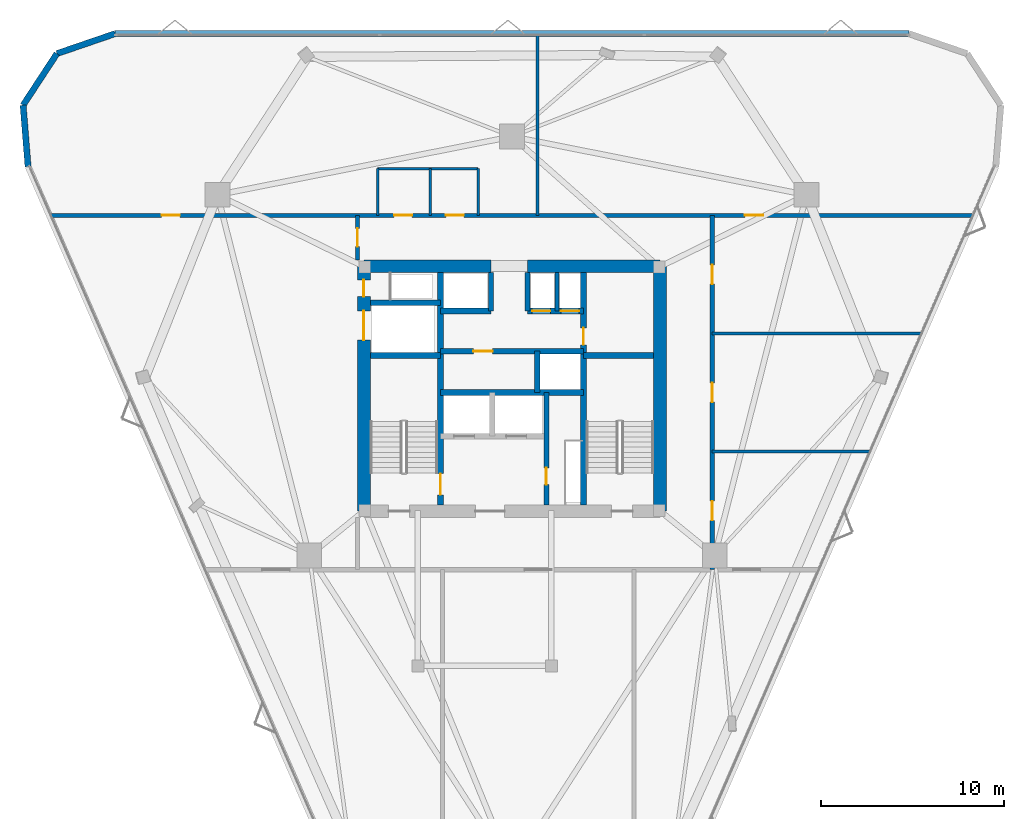
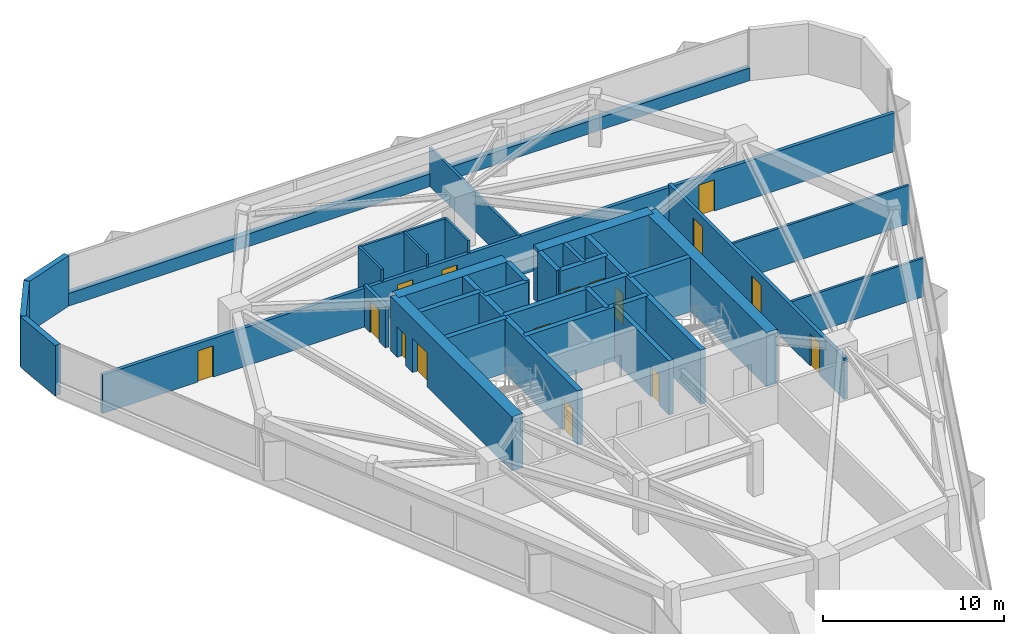
# One storey, part 10 of 12: 32 walls, 16 doors, 16 openings.
"""IFC4 building model written with IfcOpenShell, lengths in metres."""

from ifc_helpers import new_model, si_unit, direction, frame, frame_2d, origin, place, context, subcontext, project, spatial, rectangle, extrude, material, layer, layer_set, type_object, element, fill, save


model = new_model("IFC4")

# Units and contexts
model_context = context("Model", 3, precision=1e-05, world=origin(), true_north=direction((0.0, 1.0)))
body_context = subcontext(model_context, "Body", "Model", "MODEL_VIEW")
ifc_project = project(units=[si_unit("LENGTHUNIT", "METRE"), si_unit("AREAUNIT", "SQUARE_METRE"), si_unit("VOLUMEUNIT", "CUBIC_METRE"), si_unit("PLANEANGLEUNIT", "RADIAN"), si_unit("MASSUNIT", "GRAM", prefix="KILO")], contexts=[model_context])

# Site, building, storey
site_placement = place(None, origin())
site = spatial("IfcSite", under=ifc_project, at=site_placement, CompositionType="ELEMENT")
building_placement = place(site_placement, origin())
building = spatial("IfcBuilding", under=site, at=building_placement, Name="Talyreon Biosciences Tower", CompositionType="ELEMENT")
storey_placement = place(building_placement, frame((0.0, 0.0, 183.050048828125)))
storey = spatial("IfcBuildingStorey", under=building, at=storey_placement, Name="L48", CompositionType="ELEMENT", Elevation=183.050048828125)

# Walls
ifc_material_1 = material(Name="Concrete C50/60", Category="concrete")
ifc_layer_1 = layer(ifc_material_1, 0.219970703125)
ifc_layer_set_1 = layer_set([ifc_layer_1], Name="Concrete C50/60")
wall_type_1 = type_object("IfcWallType", Name="CoreShearWall_220", PredefinedType="SHEAR", material=ifc_layer_set_1)
wall_1_placement = place(storey_placement, frame((68.4599609375, 72.25, 0.0), z_axis=(0.0, 0.0, 1.0), x_axis=(0.0, 1.0, 0.0)))
element("IfcWall", 1, at=wall_1_placement, inside=storey, type_object=wall_type_1, Name="L48 Core Shaft Wall SWPHD", PredefinedType="SHEAR", context=body_context, shape_type="SweptSolid", body=[
    extrude(rectangle(XDim=2.10009765625, YDim=0.219970703125, at=frame_2d((1.050048828125, 0.0))), origin(), (0.0, 0.0, 1.0), 3.64990234375),
])
ifc_layer_2 = layer(ifc_material_1, 0.280029296875)
ifc_layer_set_2 = layer_set([ifc_layer_2], Name="Concrete C50/60")
wall_type_2 = type_object("IfcWallType", Name="CoreShearWall_280", PredefinedType="SHEAR", material=ifc_layer_set_2)
for number, where, z_axis, x_axis, name in (
    (2, (64.85009765625, 72.25, 0.0), (0.0, 0.0, 1.0), (0.0, 1.0, 0.0), "L48 Core Shaft Wall SWTHW"),
    (3, (66.85009765625, 72.25, 0.0), (0.0, 0.0, 1.0), (0.0, 1.0, 0.0), "L48 Core Shaft Wall SWTHE"),
):
    element("IfcWall", number, at=place(storey_placement, frame(where, z_axis=z_axis, x_axis=x_axis)), inside=storey, type_object=wall_type_2, Name=name, PredefinedType="SHEAR", context=body_context, shape_type="SweptSolid", body=[
        extrude(rectangle(XDim=2.10009765625, YDim=0.280029296875, at=frame_2d((1.050048828125, 0.0))), origin(), (0.0, 0.0, 1.0), 3.64990234375),
    ])

# Wall, opening, door
wall_2_placement = place(storey_placement, frame((67.8798828125, 61.64990234375, 0.0), z_axis=(0.0, 0.0, 1.0), x_axis=(0.0, 1.0, 0.0)))
wall_2 = element("IfcWall", 4, at=wall_2_placement, inside=storey, type_object=wall_type_2, Name="L48 Core Shaft Wall SWFFE", PredefinedType="SHEAR", context=body_context, shape_type="SweptSolid", body=[
    extrude(rectangle(XDim=6.150146484375, YDim=0.280029296875, at=frame_2d((3.0751953125, 0.0))), origin(), (0.0, 0.0, 1.0), 3.64990234375),
])
opening_1_placement = place(wall_2_placement, frame((1.10009765625, 0.0, 0.0)))
opening_1 = element("IfcOpeningElement", 5, at=opening_1_placement, cuts=wall_2, Name="Opening DR-L48-RSE", PredefinedType="OPENING", context=body_context, shape_type="SweptSolid", body=[
    extrude(rectangle(XDim=0.919921875, YDim=2.050048828125, at=frame_2d((0.4599609375, 1.02490234375))), frame((0.0, 0.14990234375, 0.0), z_axis=(0.0, -1.0, 0.0), x_axis=(1.0, 0.0, 0.0)), (0.0, 0.0, 1.0), 0.300048828125),
])
ifc_material_2 = material(Name="Painted steel fire-rated riser door", Category="steel")
door_type_1 = type_object("IfcDoorType", Name="RiserPlantAccessDoor_920x2050", OperationType="NOTDEFINED", PredefinedType="DOOR", material=ifc_material_2)
door_1_placement = place(opening_1_placement, origin())
door_1 = element("IfcDoor", 6, at=door_1_placement, inside=storey, type_object=door_type_1, Name="L48 Core Door DR-L48-RSE", OperationType="SINGLE_SWING_RIGHT", OverallHeight=2.050048828125, OverallWidth=0.919921875, PredefinedType="DOOR", context=body_context, shape_type="SweptSolid", body=[
    extrude(rectangle(XDim=0.919921875, YDim=2.050048828125, at=frame_2d((0.4599609375, 1.02490234375))), frame((0.0, 0.02490234375, 0.0), z_axis=(0.0, -1.0, 0.0), x_axis=(1.0, 0.0, 0.0)), (0.0, 0.0, 1.0), 0.050048828125),
])
fill(opening_1, door_1)

# Wall
wall_3_placement = place(storey_placement, frame((67.3798828125, 67.800048828125, 0.0), z_axis=(0.0, 0.0, 1.0), x_axis=(0.0, 1.0, 0.0)))
element("IfcWall", 7, at=wall_3_placement, inside=storey, type_object=wall_type_2, Name="L48 Core Shaft Wall SWPMD", PredefinedType="SHEAR", context=body_context, shape_type="SweptSolid", body=[
    extrude(rectangle(XDim=2.25, YDim=0.280029296875, at=frame_2d((1.125, 0.0))), origin(), (0.0, 0.0, 1.0), 3.64990234375),
])

# Wall, opening, door
ifc_layer_3 = layer(ifc_material_1, 0.320068359375)
ifc_layer_set_3 = layer_set([ifc_layer_3], Name="Concrete C50/60")
wall_type_3 = type_object("IfcWallType", Name="CoreShearWall_320", PredefinedType="SHEAR", material=ifc_layer_set_3)
wall_4_placement = place(storey_placement, frame((62.090087890625, 61.64990234375, 0.0), z_axis=(0.0, 0.0, 1.0), x_axis=(0.0, 1.0, 0.0)))
wall_4 = element("IfcWall", 8, at=wall_4_placement, inside=storey, type_object=wall_type_3, Name="L48 Core Shaft Wall SW1E", PredefinedType="SHEAR", context=body_context, shape_type="SweptSolid", body=[
    extrude(rectangle(XDim=12.7001953125, YDim=0.320068359375, at=frame_2d((6.35009765625, 0.0))), origin(), (0.0, 0.0, 1.0), 3.64990234375),
])
opening_2_placement = place(wall_4_placement, frame((0.550048828125, 0.0, 0.0)))
opening_2 = element("IfcOpeningElement", 9, at=opening_2_placement, cuts=wall_4, Name="Opening DR-L48-FF-ST1", PredefinedType="OPENING", context=body_context, shape_type="SweptSolid", body=[
    extrude(rectangle(XDim=1.14990234375, YDim=2.14990234375, at=frame_2d((0.574951171875, 1.074951171875))), frame((0.0, 0.169921875, 0.0), z_axis=(0.0, -1.0, 0.0), x_axis=(1.0, 0.0, 0.0)), (0.0, 0.0, 1.0), 0.340087890625),
])
ifc_material_3 = material(Name="Painted steel fire door", Category="steel")
door_type_2 = type_object("IfcDoorType", Name="StairShaftFireDoor_1150x2150", OperationType="NOTDEFINED", PredefinedType="DOOR", material=ifc_material_3)
door_2_placement = place(opening_2_placement, origin())
door_2 = element("IfcDoor", 10, at=door_2_placement, inside=storey, type_object=door_type_2, Name="L48 Core Door DR-L48-FF-ST1", OperationType="SINGLE_SWING_LEFT", OverallHeight=2.14990234375, OverallWidth=1.14990234375, PredefinedType="DOOR", context=body_context, shape_type="SweptSolid", body=[
    extrude(rectangle(XDim=1.14990234375, YDim=2.14990234375, at=frame_2d((0.574951171875, 1.074951171875))), frame((0.0, 0.02490234375, 0.0), z_axis=(0.0, -1.0, 0.0), x_axis=(1.0, 0.0, 0.0)), (0.0, 0.0, 1.0), 0.050048828125),
])
fill(opening_2, door_2)

wall_5_placement = place(storey_placement, frame((69.909912109375, 61.64990234375, 0.0), z_axis=(0.0, 0.0, 1.0), x_axis=(0.0, 1.0, 0.0)))
wall_5 = element("IfcWall", 11, at=wall_5_placement, inside=storey, type_object=wall_type_3, Name="L48 Core Shaft Wall SW2W", PredefinedType="SHEAR", context=body_context, shape_type="SweptSolid", body=[
    extrude(rectangle(XDim=12.7001953125, YDim=0.320068359375, at=frame_2d((6.35009765625, 0.0))), origin(), (0.0, 0.0, 1.0), 3.64990234375),
])
opening_3_placement = place(wall_5_placement, frame((8.75, 0.0, 0.0)))
opening_3 = element("IfcOpeningElement", 12, at=opening_3_placement, cuts=wall_5, Name="Opening DR-L48-CSRV", PredefinedType="OPENING", context=body_context, shape_type="SweptSolid", body=[
    extrude(rectangle(XDim=0.919921875, YDim=2.050048828125, at=frame_2d((0.4599609375, 1.02490234375))), frame((0.0, 0.169921875, 0.0), z_axis=(0.0, -1.0, 0.0), x_axis=(1.0, 0.0, 0.0)), (0.0, 0.0, 1.0), 0.340087890625),
])
door_3_placement = place(opening_3_placement, origin())
door_3 = element("IfcDoor", 13, at=door_3_placement, inside=storey, type_object=door_type_1, Name="L48 Core Door DR-L48-CSRV", OperationType="SINGLE_SWING_RIGHT", OverallHeight=2.050048828125, OverallWidth=0.919921875, PredefinedType="DOOR", context=body_context, shape_type="SweptSolid", body=[
    extrude(rectangle(XDim=0.919921875, YDim=2.050048828125, at=frame_2d((0.4599609375, 1.02490234375))), frame((0.0, 0.02490234375, 0.0), z_axis=(0.0, -1.0, 0.0), x_axis=(1.0, 0.0, 0.0)), (0.0, 0.0, 1.0), 0.050048828125),
])
fill(opening_3, door_3)

# Walls
for number, where, z_axis, x_axis, name in (
    (14, (58.25, 69.81005859375, 0.0), (0.0, 0.0, 1.0), (1.0, 0.0, 0.0), "L48 Core Shaft Wall SW1N"),
    (15, (69.909912109375, 69.81005859375, 0.0), (0.0, 0.0, 1.0), (1.0, 0.0, 0.0), "L48 Core Shaft Wall SW2N"),
    (16, (58.25, 72.699951171875, 0.0), (0.0, 0.0, 1.0), (1.0, 0.0, 0.0), "L48 Core Shaft Wall SWGLN"),
):
    element("IfcWall", number, at=place(storey_placement, frame(where, z_axis=z_axis, x_axis=x_axis)), inside=storey, type_object=wall_type_3, Name=name, PredefinedType="SHEAR", context=body_context, shape_type="SweptSolid", body=[
        extrude(rectangle(XDim=3.840087890625, YDim=0.320068359375, at=frame_2d((1.919921875, 0.0))), origin(), (0.0, 0.0, 1.0), 3.64990234375),
    ])
wall_6_placement = place(storey_placement, frame((62.090087890625, 67.800048828125, 0.0), z_axis=(0.0, 0.0, 1.0), x_axis=(1.0, 0.0, 0.0)))
element("IfcWall", 17, at=wall_6_placement, inside=storey, type_object=wall_type_3, Name="L48 Core Shaft Wall SWSHM", PredefinedType="SHEAR", context=body_context, shape_type="SweptSolid", body=[
    extrude(rectangle(XDim=7.81982421875, YDim=0.320068359375, at=frame_2d((3.909912109375, 0.0))), origin(), (0.0, 0.0, 1.0), 3.64990234375),
])

# Wall, opening, door
wall_7_placement = place(storey_placement, frame((62.090087890625, 70.050048828125, 0.0), z_axis=(0.0, 0.0, 1.0), x_axis=(1.0, 0.0, 0.0)))
wall_7 = element("IfcWall", 18, at=wall_7_placement, inside=storey, type_object=wall_type_3, Name="L48 Core Shaft Wall SWSPN", PredefinedType="SHEAR", context=body_context, shape_type="SweptSolid", body=[
    extrude(rectangle(XDim=7.81982421875, YDim=0.320068359375, at=frame_2d((3.909912109375, 0.0))), origin(), (0.0, 0.0, 1.0), 3.64990234375),
])
opening_4_placement = place(wall_7_placement, frame((1.800048828125, 0.0, 0.0)))
opening_4 = element("IfcOpeningElement", 19, at=opening_4_placement, cuts=wall_7, Name="Opening DR-L48-PLFREE-A", PredefinedType="OPENING", context=body_context, shape_type="SweptSolid", body=[
    extrude(rectangle(XDim=1.050048828125, YDim=2.14990234375, at=frame_2d((0.52490234375, 1.074951171875))), frame((0.0, 0.169921875, 0.0), z_axis=(0.0, -1.0, 0.0), x_axis=(1.0, 0.0, 0.0)), (0.0, 0.0, 1.0), 0.340087890625),
])
ifc_material_4 = material(Name="Acoustic timber-core laboratory door", Category="wood")
door_type_3 = type_object("IfcDoorType", Name="DryLabSingleDoor_1050x2150", OperationType="NOTDEFINED", PredefinedType="DOOR", material=ifc_material_4)
door_4_placement = place(opening_4_placement, origin())
door_4 = element("IfcDoor", 20, at=door_4_placement, inside=storey, type_object=door_type_3, Name="L48 Core Door DR-L48-PLFREE-A", OperationType="SINGLE_SWING_LEFT", OverallHeight=2.14990234375, OverallWidth=1.050048828125, PredefinedType="DOOR", context=body_context, shape_type="SweptSolid", body=[
    extrude(rectangle(XDim=1.050048828125, YDim=2.14990234375, at=frame_2d((0.52490234375, 1.074951171875))), frame((0.0, 0.02490234375, 0.0), z_axis=(0.0, -1.0, 0.0), x_axis=(1.0, 0.0, 0.0)), (0.0, 0.0, 1.0), 0.050048828125),
])
fill(opening_4, door_4)

# Wall
wall_8_placement = place(storey_placement, frame((62.090087890625, 72.25, 0.0), z_axis=(0.0, 0.0, 1.0), x_axis=(1.0, 0.0, 0.0)))
element("IfcWall", 21, at=wall_8_placement, inside=storey, type_object=wall_type_3, Name="L48 Core Shaft Wall SWNPW", PredefinedType="SHEAR", context=body_context, shape_type="SweptSolid", body=[
    extrude(rectangle(XDim=2.760009765625, YDim=0.320068359375, at=frame_2d((1.3798828125, 0.0))), origin(), (0.0, 0.0, 1.0), 3.64990234375),
])

# Wall, openings, doors
wall_9_placement = place(storey_placement, frame((66.85009765625, 72.25, 0.0), z_axis=(0.0, 0.0, 1.0), x_axis=(1.0, 0.0, 0.0)))
wall_9 = element("IfcWall", 22, at=wall_9_placement, inside=storey, type_object=wall_type_3, Name="L48 Core Shaft Wall SWNPE", PredefinedType="SHEAR", context=body_context, shape_type="SweptSolid", body=[
    extrude(rectangle(XDim=3.059814453125, YDim=0.320068359375, at=frame_2d((1.52978515625, 0.0))), origin(), (0.0, 0.0, 1.0), 3.64990234375),
])
opening_5_placement = place(wall_9_placement, frame((0.25, 0.0, 0.0)))
opening_5 = element("IfcOpeningElement", 23, at=opening_5_placement, cuts=wall_9, Name="Opening LD-L48-PH1", PredefinedType="OPENING", context=body_context, shape_type="SweptSolid", body=[
    extrude(rectangle(XDim=1.0, YDim=2.199951171875, at=frame_2d((0.5, 1.10009765625))), frame((0.0, 0.169921875, 0.0), z_axis=(0.0, -1.0, 0.0), x_axis=(1.0, 0.0, 0.0)), (0.0, 0.0, 1.0), 0.340087890625),
])
opening_6_placement = place(wall_9_placement, frame((1.820068359375, 0.0, 0.0)))
opening_6 = element("IfcOpeningElement", 24, at=opening_6_placement, cuts=wall_9, Name="Opening LD-L48-PH2", PredefinedType="OPENING", context=body_context, shape_type="SweptSolid", body=[
    extrude(rectangle(XDim=1.0, YDim=2.199951171875, at=frame_2d((0.5, 1.10009765625))), frame((0.0, 0.169921875, 0.0), z_axis=(0.0, -1.0, 0.0), x_axis=(1.0, 0.0, 0.0)), (0.0, 0.0, 1.0), 0.340087890625),
])
ifc_material_5 = material(Name="Brushed stainless-steel lift landing door", Category="steel")
door_type_4 = type_object("IfcDoorType", Name="LiftSlidingLandingDoor_1100x2200", OperationType="SLIDING_TO_LEFT", PredefinedType="DOOR", material=ifc_material_5)
door_5_placement = place(opening_5_placement, origin())
door_5 = element("IfcDoor", 25, at=door_5_placement, inside=storey, type_object=door_type_4, Name="L48 Core Door LD-L48-PH1", OperationType="SLIDING_TO_LEFT", OverallHeight=2.199951171875, OverallWidth=1.0, PredefinedType="DOOR", context=body_context, shape_type="SweptSolid", body=[
    extrude(rectangle(XDim=1.0, YDim=2.199951171875, at=frame_2d((0.5, 1.10009765625))), frame((0.0, 0.02490234375, 0.0), z_axis=(0.0, -1.0, 0.0), x_axis=(1.0, 0.0, 0.0)), (0.0, 0.0, 1.0), 0.050048828125),
])
fill(opening_5, door_5)
door_6_placement = place(opening_6_placement, origin())
door_6 = element("IfcDoor", 26, at=door_6_placement, inside=storey, type_object=door_type_4, Name="L48 Core Door LD-L48-PH2", OperationType="SLIDING_TO_LEFT", OverallHeight=2.199951171875, OverallWidth=1.0, PredefinedType="DOOR", context=body_context, shape_type="SweptSolid", body=[
    extrude(rectangle(XDim=1.0, YDim=2.199951171875, at=frame_2d((0.5, 1.10009765625))), frame((0.0, 0.02490234375, 0.0), z_axis=(0.0, -1.0, 0.0), x_axis=(1.0, 0.0, 0.0)), (0.0, 0.0, 1.0), 0.050048828125),
])
fill(opening_6, door_6)

# Walls
ifc_layer_4 = layer(ifc_material_1, 0.699951171875)
ifc_layer_set_4 = layer_set([ifc_layer_4], Name="Concrete C50/60")
wall_type_4 = type_object("IfcWallType", Name="CoreShearWall_700", PredefinedType="SHEAR", material=ifc_layer_set_4)
wall_10_placement = place(storey_placement, frame((74.10009765625, 61.300048828125, 0.0), z_axis=(0.0, 0.0, 1.0), x_axis=(0.0, 1.0, 0.0)))
element("IfcWall", 27, at=wall_10_placement, inside=storey, type_object=wall_type_4, Name="L48 Core Shear Wall E", PredefinedType="SHEAR", context=body_context, shape_type="SweptSolid", body=[
    extrude(rectangle(XDim=13.39990234375, YDim=0.699951171875, at=frame_2d((6.699951171875, 0.0))), origin(), (0.0, 0.0, 1.0), 3.64990234375),
])
wall_11_placement = place(storey_placement, frame((74.10009765625, 74.699951171875, 0.0), z_axis=(0.0, 0.0, 1.0), x_axis=(-1.0, 0.0, 0.0)))
element("IfcWall", 28, at=wall_11_placement, inside=storey, type_object=wall_type_4, Name="L48 Core Shear Wall NE", PredefinedType="SHEAR", context=body_context, shape_type="SweptSolid", body=[
    extrude(rectangle(XDim=7.25, YDim=0.699951171875, at=frame_2d((3.625, 0.0))), origin(), (0.0, 0.0, 1.0), 3.64990234375),
])
wall_12_placement = place(storey_placement, frame((64.85009765625, 74.699951171875, 0.0), z_axis=(0.0, 0.0, 1.0), x_axis=(-1.0, 0.0, 0.0)))
element("IfcWall", 29, at=wall_12_placement, inside=storey, type_object=wall_type_4, Name="L48 Core Shear Wall NW", PredefinedType="SHEAR", context=body_context, shape_type="SweptSolid", body=[
    extrude(rectangle(XDim=6.9501953125, YDim=0.699951171875, at=frame_2d((3.47509765625, 0.0))), origin(), (0.0, 0.0, 1.0), 3.64990234375),
])

# Wall, openings, doors
wall_13_placement = place(storey_placement, frame((57.89990234375, 74.699951171875, 0.0), z_axis=(0.0, 0.0, 1.0), x_axis=(0.0, -1.0, 0.0)))
wall_13 = element("IfcWall", 30, at=wall_13_placement, inside=storey, type_object=wall_type_4, Name="L48 Core Shear Wall W", PredefinedType="SHEAR", context=body_context, shape_type="SweptSolid", body=[
    extrude(rectangle(XDim=13.39990234375, YDim=0.699951171875, at=frame_2d((6.699951171875, 0.0))), origin(), (0.0, 0.0, 1.0), 3.64990234375),
])
opening_7_placement = place(wall_13_placement, frame((0.75, 0.0, 0.0)))
opening_7 = element("IfcOpeningElement", 31, at=opening_7_placement, cuts=wall_13, Name="Opening DR-L48-RSW", PredefinedType="OPENING", context=body_context, shape_type="SweptSolid", body=[
    extrude(rectangle(XDim=0.919921875, YDim=2.050048828125, at=frame_2d((0.4599609375, 1.02490234375))), frame((0.0, 0.35986328125, 0.0), z_axis=(0.0, -1.0, 0.0), x_axis=(1.0, 0.0, 0.0)), (0.0, 0.0, 1.0), 0.719970703125),
])
opening_8_placement = place(wall_13_placement, frame((2.449951171875, 0.0, 0.0)))
opening_8 = element("IfcOpeningElement", 32, at=opening_8_placement, cuts=wall_13, Name="Opening LD-L48-GL1", PredefinedType="OPENING", context=body_context, shape_type="SweptSolid", body=[
    extrude(rectangle(XDim=1.60009765625, YDim=2.300048828125, at=frame_2d((0.800048828125, 1.14990234375))), frame((0.0, 0.35986328125, 0.0), z_axis=(0.0, -1.0, 0.0), x_axis=(1.0, 0.0, 0.0)), (0.0, 0.0, 1.0), 0.719970703125),
])
ifc_material_6 = material(Name="Heavy-duty stainless-steel goods lift door", Category="steel")
door_type_5 = type_object("IfcDoorType", Name="GoodsLiftSlidingDoor_1600x2300", OperationType="DOUBLE_DOOR_SLIDING", PredefinedType="DOOR", material=ifc_material_6)
door_7_placement = place(opening_8_placement, origin())
door_7 = element("IfcDoor", 33, at=door_7_placement, inside=storey, type_object=door_type_5, Name="L48 Core Door LD-L48-GL1", OperationType="DOUBLE_DOOR_SLIDING", OverallHeight=2.300048828125, OverallWidth=1.60009765625, PredefinedType="DOOR", context=body_context, shape_type="SweptSolid", body=[
    extrude(rectangle(XDim=1.60009765625, YDim=2.300048828125, at=frame_2d((0.800048828125, 1.14990234375))), frame((0.0, 0.02490234375, 0.0), z_axis=(0.0, -1.0, 0.0), x_axis=(1.0, 0.0, 0.0)), (0.0, 0.0, 1.0), 0.050048828125),
])
fill(opening_8, door_7)
door_8_placement = place(opening_7_placement, origin())
door_8 = element("IfcDoor", 34, at=door_8_placement, inside=storey, type_object=door_type_1, Name="L48 Core Door DR-L48-RSW", OperationType="SINGLE_SWING_LEFT", OverallHeight=2.050048828125, OverallWidth=0.919921875, PredefinedType="DOOR", context=body_context, shape_type="SweptSolid", body=[
    extrude(rectangle(XDim=0.919921875, YDim=2.050048828125, at=frame_2d((0.4599609375, 1.02490234375))), frame((0.0, 0.02490234375, 0.0), z_axis=(0.0, -1.0, 0.0), x_axis=(1.0, 0.0, 0.0)), (0.0, 0.0, 1.0), 0.050048828125),
])
fill(opening_7, door_8)

ifc_material_7 = material(Name="Gypsum fireboard acoustic stud", Category="gypsum")
ifc_layer_5 = layer(ifc_material_7, 0.219970703125)
ifc_layer_set_5 = layer_set([ifc_layer_5], Name="Gypsum fireboard acoustic stud")
wall_type_5 = type_object("IfcWallType", Name="CorridorRatedPartition_220", PredefinedType="PARTITIONING", material=ifc_layer_set_5)
wall_14_placement = place(storey_placement, frame((40.787841796875, 77.47998046875, 0.0), z_axis=(0.0, 0.0, 1.0), x_axis=(1.0, 0.0, 0.0)))
wall_14 = element("IfcWall", 35, at=wall_14_placement, inside=storey, type_object=wall_type_5, Name="L48 Interior Wall IW-L48-COR-N", PredefinedType="PARTITIONING", context=body_context, shape_type="SweptSolid", body=[
    extrude(rectangle(XDim=50.42431640625, YDim=0.219970703125, at=frame_2d((25.212158203125, 0.0))), origin(), (0.0, 0.0, 1.0), 2.599853515625),
])
opening_9_placement = place(wall_14_placement, frame((18.77197265625, 0.0, 0.0)))
opening_9 = element("IfcOpeningElement", 36, at=opening_9_placement, cuts=wall_14, Name="Opening DR-L48-WC", PredefinedType="OPENING", context=body_context, shape_type="SweptSolid", body=[
    extrude(rectangle(XDim=0.97998046875, YDim=2.10009765625, at=frame_2d((0.489990234375, 1.050048828125))), frame((0.0, 0.119873046875, 0.0), z_axis=(0.0, -1.0, 0.0), x_axis=(1.0, 0.0, 0.0)), (0.0, 0.0, 1.0), 0.239990234375),
])
opening_10_placement = place(wall_14_placement, frame((21.596923828125, 0.0, 0.0)))
opening_10 = element("IfcOpeningElement", 37, at=opening_10_placement, cuts=wall_14, Name="Opening DR-L48-AWC", PredefinedType="OPENING", context=body_context, shape_type="SweptSolid", body=[
    extrude(rectangle(XDim=0.97998046875, YDim=2.10009765625, at=frame_2d((0.489990234375, 1.050048828125))), frame((0.0, 0.119873046875, 0.0), z_axis=(0.0, -1.0, 0.0), x_axis=(1.0, 0.0, 0.0)), (0.0, 0.0, 1.0), 0.239990234375),
])
opening_11_placement = place(wall_14_placement, frame((6.052001953125, 0.0, 0.0)))
opening_11 = element("IfcOpeningElement", 38, at=opening_11_placement, cuts=wall_14, Name="Opening DR-L48-N1A", PredefinedType="OPENING", context=body_context, shape_type="SweptSolid", body=[
    extrude(rectangle(XDim=1.0, YDim=2.10009765625, at=frame_2d((0.5, 1.050048828125))), frame((0.0, 0.119873046875, 0.0), z_axis=(0.0, -1.0, 0.0), x_axis=(1.0, 0.0, 0.0)), (0.0, 0.0, 1.0), 0.239990234375),
])
opening_12_placement = place(wall_14_placement, frame((37.943115234375, 0.0, 0.0)))
opening_12 = element("IfcOpeningElement", 39, at=opening_12_placement, cuts=wall_14, Name="Opening DR-L48-N2A", PredefinedType="OPENING", context=body_context, shape_type="SweptSolid", body=[
    extrude(rectangle(XDim=1.0, YDim=2.10009765625, at=frame_2d((0.5, 1.050048828125))), frame((0.0, 0.119873046875, 0.0), z_axis=(0.0, -1.0, 0.0), x_axis=(1.0, 0.0, 0.0)), (0.0, 0.0, 1.0), 0.239990234375),
])
ifc_material_8 = material(Name="Laminate moisture-resistant door", Category="wood")
door_type_6 = type_object("IfcDoorType", Name="AccessibleToiletDoor_980x2100", OperationType="NOTDEFINED", PredefinedType="DOOR", material=ifc_material_8)
door_9_placement = place(opening_9_placement, origin())
door_9 = element("IfcDoor", 40, at=door_9_placement, inside=storey, type_object=door_type_6, Name="L48 Interior Door DR-L48-WC", OperationType="SINGLE_SWING_RIGHT", OverallHeight=2.10009765625, OverallWidth=0.97998046875, PredefinedType="DOOR", context=body_context, shape_type="SweptSolid", body=[
    extrude(rectangle(XDim=0.97998046875, YDim=2.10009765625, at=frame_2d((0.489990234375, 1.050048828125))), frame((0.0, 0.02490234375, 0.0), z_axis=(0.0, -1.0, 0.0), x_axis=(1.0, 0.0, 0.0)), (0.0, 0.0, 1.0), 0.050048828125),
])
fill(opening_9, door_9)
door_10_placement = place(opening_10_placement, origin())
door_10 = element("IfcDoor", 41, at=door_10_placement, inside=storey, type_object=door_type_6, Name="L48 Interior Door DR-L48-AWC", OperationType="SINGLE_SWING_RIGHT", OverallHeight=2.10009765625, OverallWidth=0.97998046875, PredefinedType="DOOR", context=body_context, shape_type="SweptSolid", body=[
    extrude(rectangle(XDim=0.97998046875, YDim=2.10009765625, at=frame_2d((0.489990234375, 1.050048828125))), frame((0.0, 0.02490234375, 0.0), z_axis=(0.0, -1.0, 0.0), x_axis=(1.0, 0.0, 0.0)), (0.0, 0.0, 1.0), 0.050048828125),
])
fill(opening_10, door_10)
ifc_material_9 = material(Name="Acoustic oak veneer office door", Category="wood")
door_type_7 = type_object("IfcDoorType", Name="WriteupOfficeDoor_1000x2100", OperationType="NOTDEFINED", PredefinedType="DOOR", material=ifc_material_9)
door_11_placement = place(opening_11_placement, origin())
door_11 = element("IfcDoor", 42, at=door_11_placement, inside=storey, type_object=door_type_7, Name="L48 Interior Door DR-L48-N1A", OperationType="SINGLE_SWING_LEFT", OverallHeight=2.10009765625, OverallWidth=1.0, PredefinedType="DOOR", context=body_context, shape_type="SweptSolid", body=[
    extrude(rectangle(XDim=1.0, YDim=2.10009765625, at=frame_2d((0.5, 1.050048828125))), frame((0.0, 0.02490234375, 0.0), z_axis=(0.0, -1.0, 0.0), x_axis=(1.0, 0.0, 0.0)), (0.0, 0.0, 1.0), 0.050048828125),
])
fill(opening_11, door_11)
door_12_placement = place(opening_12_placement, origin())
door_12 = element("IfcDoor", 43, at=door_12_placement, inside=storey, type_object=door_type_7, Name="L48 Interior Door DR-L48-N2A", OperationType="SINGLE_SWING_RIGHT", OverallHeight=2.10009765625, OverallWidth=1.0, PredefinedType="DOOR", context=body_context, shape_type="SweptSolid", body=[
    extrude(rectangle(XDim=1.0, YDim=2.10009765625, at=frame_2d((0.5, 1.050048828125))), frame((0.0, 0.02490234375, 0.0), z_axis=(0.0, -1.0, 0.0), x_axis=(1.0, 0.0, 0.0)), (0.0, 0.0, 1.0), 0.050048828125),
])
fill(opening_12, door_12)

# Wall, opening, door
wall_15_placement = place(storey_placement, frame((57.550048828125, 75.050048828125, 0.0), z_axis=(0.0, 0.0, 1.0), x_axis=(0.0, 1.0, 0.0)))
wall_15 = element("IfcWall", 44, at=wall_15_placement, inside=storey, type_object=wall_type_5, Name="L48 Interior Wall IW-L48-WCAP-N", PredefinedType="PARTITIONING", context=body_context, shape_type="SweptSolid", body=[
    extrude(rectangle(XDim=2.429931640625, YDim=0.219970703125, at=frame_2d((1.21484375, 0.0))), origin(), (0.0, 0.0, 1.0), 2.780029296875),
])
opening_13_placement = place(wall_15_placement, frame((0.715087890625, 0.0, 0.0)))
opening_13 = element("IfcOpeningElement", 45, at=opening_13_placement, cuts=wall_15, Name="Opening DR-L48-W1A", PredefinedType="OPENING", context=body_context, shape_type="SweptSolid", body=[
    extrude(rectangle(XDim=1.0, YDim=2.10009765625, at=frame_2d((0.5, 1.050048828125))), frame((0.0, 0.119873046875, 0.0), z_axis=(0.0, -1.0, 0.0), x_axis=(1.0, 0.0, 0.0)), (0.0, 0.0, 1.0), 0.239990234375),
])
door_13_placement = place(opening_13_placement, origin())
door_13 = element("IfcDoor", 46, at=door_13_placement, inside=storey, type_object=door_type_7, Name="L48 Interior Door DR-L48-W1A", OperationType="SINGLE_SWING_RIGHT", OverallHeight=2.10009765625, OverallWidth=1.0, PredefinedType="DOOR", context=body_context, shape_type="SweptSolid", body=[
    extrude(rectangle(XDim=1.0, YDim=2.10009765625, at=frame_2d((0.5, 1.050048828125))), frame((0.0, 0.02490234375, 0.0), z_axis=(0.0, -1.0, 0.0), x_axis=(1.0, 0.0, 0.0)), (0.0, 0.0, 1.0), 0.050048828125),
])
fill(opening_13, door_13)

# Wall, openings, doors
wall_16_placement = place(storey_placement, frame((76.949951171875, 58.10009765625, 0.0), z_axis=(0.0, 0.0, 1.0), x_axis=(0.0, 1.0, 0.0)))
wall_16 = element("IfcWall", 47, at=wall_16_placement, inside=storey, type_object=wall_type_5, Name="L48 Interior Wall IW-L48-COR-E", PredefinedType="PARTITIONING", context=body_context, shape_type="SweptSolid", body=[
    extrude(rectangle(XDim=19.3798828125, YDim=0.219970703125, at=frame_2d((9.68994140625, 0.0))), origin(), (0.0, 0.0, 1.0), 2.780029296875),
])
opening_14_placement = place(wall_16_placement, frame((2.705078125, 0.0, 0.0)))
opening_14 = element("IfcOpeningElement", 48, at=opening_14_placement, cuts=wall_16, Name="Opening DR-L48-E1A", PredefinedType="OPENING", context=body_context, shape_type="SweptSolid", body=[
    extrude(rectangle(XDim=1.050048828125, YDim=2.14990234375, at=frame_2d((0.52490234375, 1.074951171875))), frame((0.0, 0.119873046875, 0.0), z_axis=(0.0, -1.0, 0.0), x_axis=(1.0, 0.0, 0.0)), (0.0, 0.0, 1.0), 0.239990234375),
])
opening_15_placement = place(wall_16_placement, frame((9.1650390625, 0.0, 0.0)))
opening_15 = element("IfcOpeningElement", 49, at=opening_15_placement, cuts=wall_16, Name="Opening DR-L48-E2A", PredefinedType="OPENING", context=body_context, shape_type="SweptSolid", body=[
    extrude(rectangle(XDim=1.050048828125, YDim=2.14990234375, at=frame_2d((0.52490234375, 1.074951171875))), frame((0.0, 0.119873046875, 0.0), z_axis=(0.0, -1.0, 0.0), x_axis=(1.0, 0.0, 0.0)), (0.0, 0.0, 1.0), 0.239990234375),
])
opening_16_placement = place(wall_16_placement, frame((15.625, 0.0, 0.0)))
opening_16 = element("IfcOpeningElement", 50, at=opening_16_placement, cuts=wall_16, Name="Opening DR-L48-E3A", PredefinedType="OPENING", context=body_context, shape_type="SweptSolid", body=[
    extrude(rectangle(XDim=1.050048828125, YDim=2.14990234375, at=frame_2d((0.52490234375, 1.074951171875))), frame((0.0, 0.119873046875, 0.0), z_axis=(0.0, -1.0, 0.0), x_axis=(1.0, 0.0, 0.0)), (0.0, 0.0, 1.0), 0.239990234375),
])
door_14_placement = place(opening_14_placement, origin())
door_14 = element("IfcDoor", 51, at=door_14_placement, inside=storey, type_object=door_type_3, Name="L48 Interior Door DR-L48-E1A", OperationType="SINGLE_SWING_LEFT", OverallHeight=2.14990234375, OverallWidth=1.050048828125, PredefinedType="DOOR", context=body_context, shape_type="SweptSolid", body=[
    extrude(rectangle(XDim=1.050048828125, YDim=2.14990234375, at=frame_2d((0.52490234375, 1.074951171875))), frame((0.0, 0.02490234375, 0.0), z_axis=(0.0, -1.0, 0.0), x_axis=(1.0, 0.0, 0.0)), (0.0, 0.0, 1.0), 0.050048828125),
])
fill(opening_14, door_14)
door_15_placement = place(opening_15_placement, origin())
door_15 = element("IfcDoor", 52, at=door_15_placement, inside=storey, type_object=door_type_3, Name="L48 Interior Door DR-L48-E2A", OperationType="SINGLE_SWING_LEFT", OverallHeight=2.14990234375, OverallWidth=1.050048828125, PredefinedType="DOOR", context=body_context, shape_type="SweptSolid", body=[
    extrude(rectangle(XDim=1.050048828125, YDim=2.14990234375, at=frame_2d((0.52490234375, 1.074951171875))), frame((0.0, 0.02490234375, 0.0), z_axis=(0.0, -1.0, 0.0), x_axis=(1.0, 0.0, 0.0)), (0.0, 0.0, 1.0), 0.050048828125),
])
fill(opening_15, door_15)
door_16_placement = place(opening_16_placement, origin())
door_16 = element("IfcDoor", 53, at=door_16_placement, inside=storey, type_object=door_type_3, Name="L48 Interior Door DR-L48-E3A", OperationType="SINGLE_SWING_RIGHT", OverallHeight=2.14990234375, OverallWidth=1.050048828125, PredefinedType="DOOR", context=body_context, shape_type="SweptSolid", body=[
    extrude(rectangle(XDim=1.050048828125, YDim=2.14990234375, at=frame_2d((0.52490234375, 1.074951171875))), frame((0.0, 0.02490234375, 0.0), z_axis=(0.0, -1.0, 0.0), x_axis=(1.0, 0.0, 0.0)), (0.0, 0.0, 1.0), 0.050048828125),
])
fill(opening_16, door_16)

# Walls
ifc_material_10 = material(Name="Gypsum acoustic stud partition", Category="gypsum")
ifc_layer_6 = layer(ifc_material_10, 0.159912109375)
ifc_layer_set_6 = layer_set([ifc_layer_6], Name="Gypsum acoustic stud partition")
wall_type_6 = type_object("IfcWallType", Name="LabSeparationPartition_160", PredefinedType="PARTITIONING", material=ifc_layer_set_6)
wall_17_placement = place(storey_placement, frame((67.39990234375, 77.47998046875, 0.0), z_axis=(0.0, 0.0, 1.0), x_axis=(0.0, 1.0, 0.0)))
element("IfcWall", 54, at=wall_17_placement, inside=storey, type_object=wall_type_6, Name="L48 Interior Wall IW-L48-NDIV1", PredefinedType="PARTITIONING", context=body_context, shape_type="SweptSolid", body=[
    extrude(rectangle(XDim=9.85400390625, YDim=0.159912109375, at=frame_2d((4.927001953125, 0.0))), origin(), (0.0, 0.0, 1.0), 2.599853515625),
])
wall_18_placement = place(storey_placement, frame((76.949951171875, 64.56005859375, 0.0), z_axis=(0.0, 0.0, 1.0), x_axis=(1.0, 0.0, 0.0)))
element("IfcWall", 55, at=wall_18_placement, inside=storey, type_object=wall_type_6, Name="L48 Interior Wall IW-L48-EDIV1", PredefinedType="PARTITIONING", context=body_context, shape_type="SweptSolid", body=[
    extrude(rectangle(XDim=8.638671875, YDim=0.159912109375, at=frame_2d((4.3193359375, 0.0))), origin(), (0.0, 0.0, 1.0), 2.599853515625),
])
wall_19_placement = place(storey_placement, frame((76.949951171875, 71.02001953125, 0.0), z_axis=(0.0, 0.0, 1.0), x_axis=(1.0, 0.0, 0.0)))
element("IfcWall", 56, at=wall_19_placement, inside=storey, type_object=wall_type_6, Name="L48 Interior Wall IW-L48-EDIV2", PredefinedType="PARTITIONING", context=body_context, shape_type="SweptSolid", body=[
    extrude(rectangle(XDim=11.450439453125, YDim=0.159912109375, at=frame_2d((5.72509765625, 0.0))), origin(), (0.0, 0.0, 1.0), 2.599853515625),
])
ifc_material_11 = material(Name="Precast concrete C45/55", Category="concrete")
ifc_layer_7 = layer(ifc_material_11, 0.340087890625)
ifc_layer_set_7 = layer_set([ifc_layer_7], Name="Precast concrete C45/55")
wall_type_7 = type_object("IfcWallType", Name="PrecastConcreteSpandrelWall_340", PredefinedType="STANDARD", material=ifc_layer_set_7)
for number, where, z_axis, x_axis, name in (
    (57, (39.535888671875, 80.1435546875, 0.0), (0.0, 0.0, 1.0), (-0.080217124827, 0.996777413912, 0.0), "L48 Rounded-Corner Concrete Pier 01"),
    (58, (39.265380859375, 83.5048828125, 0.0), (0.0, 0.0, 1.0), (0.548117081497, 0.83640161703, 0.0), "L48 Rounded-Corner Concrete Pier 02"),
):
    element("IfcWall", number, at=place(storey_placement, frame(where, z_axis=z_axis, x_axis=x_axis)), inside=storey, type_object=wall_type_7, Name=name, PredefinedType="STANDARD", context=body_context, shape_type="SweptSolid", body=[
        extrude(rectangle(XDim=3.372314453125, YDim=0.340087890625, at=frame_2d((1.68603515625, 0.0))), origin(), (0.0, 0.0, 1.0), 3.39990234375),
    ])
wall_20_placement = place(storey_placement, frame((41.11376953125, 86.325439453125, 0.0), z_axis=(0.0, 0.0, 1.0), x_axis=(0.945963079191, 0.324274348056, 0.0)))
element("IfcWall", 59, at=wall_20_placement, inside=storey, type_object=wall_type_7, Name="L48 Rounded-Corner Concrete Pier 03", PredefinedType="STANDARD", context=body_context, shape_type="SweptSolid", body=[
    extrude(rectangle(XDim=3.3720703125, YDim=0.340087890625, at=frame_2d((1.68603515625, 0.0))), origin(), (0.0, 0.0, 1.0), 3.39990234375),
])
wall_21_placement = place(storey_placement, frame((44.3037109375, 87.4189453125, 0.0), z_axis=(0.0, 0.0, 1.0), x_axis=(1.0, 0.0, 0.0)))
element("IfcWall", 60, at=wall_21_placement, inside=storey, type_object=wall_type_7, Name="L48 Expressed Concrete Sill Wall 04", PredefinedType="STANDARD", context=body_context, shape_type="SweptSolid", body=[
    extrude(rectangle(XDim=43.392578125, YDim=0.340087890625, at=frame_2d((21.6962890625, 0.0))), origin(), (0.0, 0.0, 1.0), 0.849853515625),
])
ifc_material_12 = material(Name="Moisture-resistant cement-board stud", Category="gypsum")
ifc_layer_8 = layer(ifc_material_12, 0.14501953125)
ifc_layer_set_8 = layer_set([ifc_layer_8], Name="Moisture-resistant cement-board stud")
wall_type_8 = type_object("IfcWallType", Name="WetRoomPartition_145", PredefinedType="PARTITIONING", material=ifc_layer_set_8)
for number, where, z_axis, x_axis, name in (
    (61, (58.64990234375, 77.47998046875, 0.0), (0.0, 0.0, 1.0), (0.0, 1.0, 0.0), "L48 Interior Wall IW-L48-WCL"),
    (62, (61.52490234375, 77.47998046875, 0.0), (0.0, 0.0, 1.0), (0.0, 1.0, 0.0), "L48 Interior Wall IW-L48-WCM"),
    (63, (64.14990234375, 77.47998046875, 0.0), (0.0, 0.0, 1.0), (0.0, 1.0, 0.0), "L48 Interior Wall IW-L48-WCR"),
):
    element("IfcWall", number, at=place(storey_placement, frame(where, z_axis=z_axis, x_axis=x_axis)), inside=storey, type_object=wall_type_8, Name=name, PredefinedType="PARTITIONING", context=body_context, shape_type="SweptSolid", body=[
        extrude(rectangle(XDim=2.550048828125, YDim=0.14501953125, at=frame_2d((1.27490234375, 0.0))), origin(), (0.0, 0.0, 1.0), 3.39990234375),
    ])
wall_22_placement = place(storey_placement, frame((58.64990234375, 80.030029296875, 0.0), z_axis=(0.0, 0.0, 1.0), x_axis=(1.0, 0.0, 0.0)))
element("IfcWall", 64, at=wall_22_placement, inside=storey, type_object=wall_type_8, Name="L48 Interior Wall IW-L48-WCT", PredefinedType="PARTITIONING", context=body_context, shape_type="SweptSolid", body=[
    extrude(rectangle(XDim=5.5, YDim=0.14501953125, at=frame_2d((2.75, 0.0))), origin(), (0.0, 0.0, 1.0), 3.39990234375),
])

save(model, "model.ifc")
